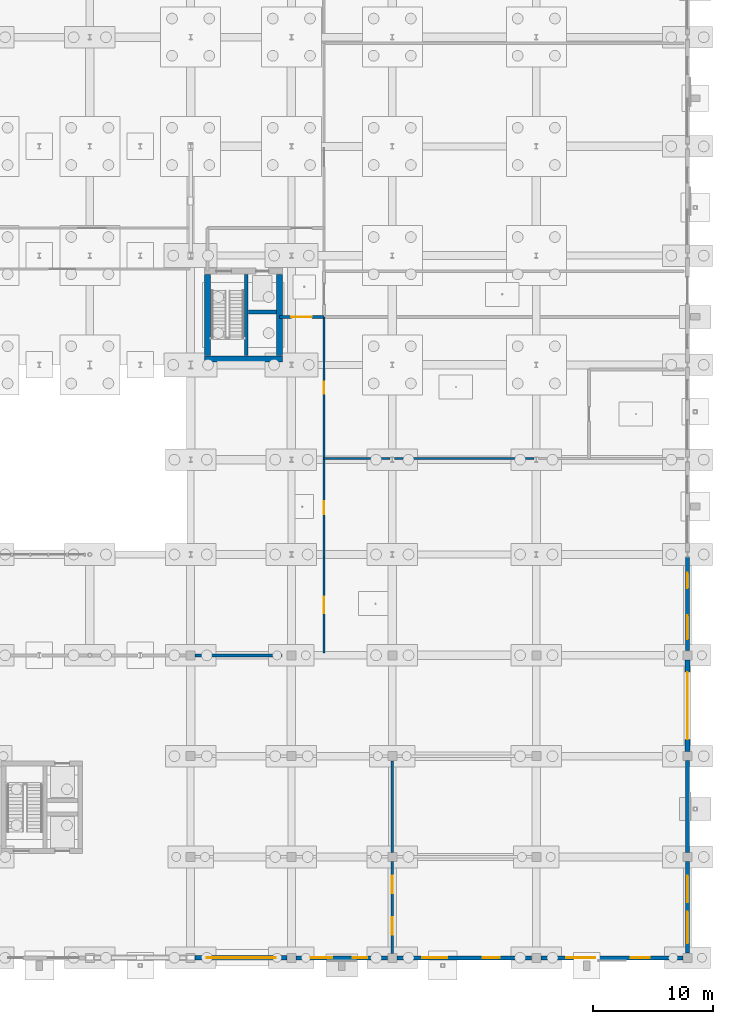
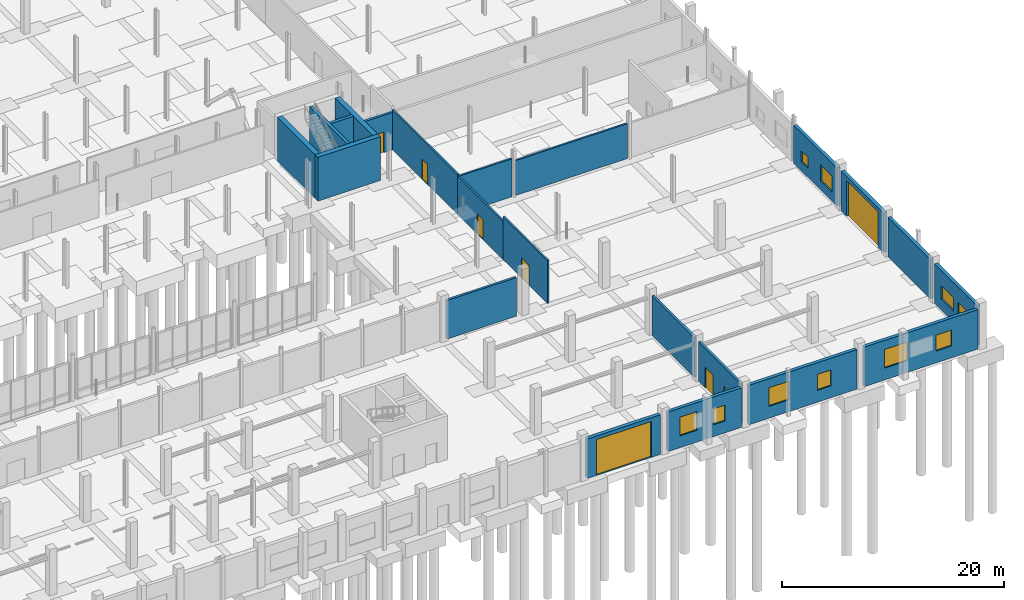
# One storey, part 87 of 119: 22 walls, 10 windows, 8 doors, 18 openings.
"""IFC4 building model written with IfcOpenShell, lengths in metres."""

import ifcopenshell
import ifcopenshell.guid

model = None  # the IFC model being written
_history = None  # IfcOwnerHistory: only IFC2X3 demands one
_inside = {}  # id of a spatial element -> (the spatial element, [elements in it])
_under = {}  # id of a project, library or spatial element -> (it, [spatial elements below it])
_declared = {}  # id of a project -> (the project, [libraries it declares])
_typed = {}  # id of a type object -> (the type object, [elements of that type])
_made_of = {}  # id of a material, layer set ... -> (it, [elements and type objects made of it])


def new_model(schema):
    """Start an empty IFC model of exactly this schema.

    Asked for "IFC4X3", IfcOpenShell would pick the latest addendum, in which some entities
    have other attributes; the version numbers below select the first issue.
    IFC2X3 requires an IfcOwnerHistory on every rooted entity: one is made here for all.
    """
    global model, _history
    if schema == "IFC4X3":
        model = ifcopenshell.file(schema_version=(4, 3, 0, 0))
    else:
        model = ifcopenshell.file(schema=schema)
    _inside.clear()
    _under.clear()
    _declared.clear()
    _typed.clear()
    _made_of.clear()
    _history = None
    if model.schema == "IFC2X3":
        org = make("IfcOrganization", Name="unknown")
        user = make(
            "IfcPersonAndOrganization",
            ThePerson=make("IfcPerson", FamilyName="unknown"),
            TheOrganization=org,
        )
        app = make(
            "IfcApplication",
            ApplicationDeveloper=org,
            Version="unknown",
            ApplicationFullName="unknown",
            ApplicationIdentifier="unknown",
        )
        _history = make(
            "IfcOwnerHistory",
            OwningUser=user,
            OwningApplication=app,
            ChangeAction="ADDED",
            CreationDate=0,
        )
    return model


def make(cls, **values):
    """One entity of the class cls with the attributes given. An attribute that is None is left unset."""
    return model.create_entity(
        cls, **{name: value for name, value in values.items() if value is not None}
    )


def rooted(cls, **values):
    """An entity with a GlobalId (a new one), such as an element, a storey or a relation."""
    return make(cls, GlobalId=ifcopenshell.guid.new(), OwnerHistory=_history, **values)


def si_unit(unit_type, name, prefix=None):
    """IfcSIUnit, for example si_unit("LENGTHUNIT", "METRE", prefix="MILLI")."""
    return make("IfcSIUnit", UnitType=unit_type, Prefix=prefix, Name=name)


def derived_unit(unit_type, elements):
    """IfcDerivedUnit: a product of units, each with its exponent."""
    return make(
        "IfcDerivedUnit",
        Elements=[
            make("IfcDerivedUnitElement", Unit=unit, Exponent=power)
            for unit, power in elements
        ],
        UnitType=unit_type,
    )


def assignment(units):
    """IfcUnitAssignment: the units of a project."""
    return None if units is None else make("IfcUnitAssignment", Units=units)


def point(xyz):
    """IfcCartesianPoint."""
    return None if xyz is None else make("IfcCartesianPoint", Coordinates=xyz)


def direction(xyz):
    """IfcDirection."""
    return None if xyz is None else make("IfcDirection", DirectionRatios=xyz)


def frame(location, z_axis=None, x_axis=None):
    """IfcAxis2Placement3D, a coordinate frame: its origin and axes. An axis left out is left unset."""
    return make(
        "IfcAxis2Placement3D",
        Location=point(location),
        Axis=direction(z_axis),
        RefDirection=direction(x_axis),
    )


def frame_2d(location, x_axis=None):
    """IfcAxis2Placement2D, a coordinate frame in the plane: its origin and x axis."""
    return make(
        "IfcAxis2Placement2D", Location=point(location), RefDirection=direction(x_axis)
    )


def origin():
    """The frame at (0, 0, 0) with its axes left unset."""
    return frame((0.0, 0.0, 0.0))


def place(relative_to, where):
    """IfcLocalPlacement: puts the frame where relative to a parent placement (None: the world)."""
    return make(
        "IfcLocalPlacement", PlacementRelTo=relative_to, RelativePlacement=where
    )


def context(
    kind, dimensions, precision=None, world=None, true_north=None, identifier=None
):
    """IfcGeometricRepresentationContext, for example the 3D "Model" context."""
    return make(
        "IfcGeometricRepresentationContext",
        ContextIdentifier=identifier,
        ContextType=kind,
        CoordinateSpaceDimension=dimensions,
        Precision=precision,
        WorldCoordinateSystem=world,
        TrueNorth=true_north,
    )


def subcontext(parent, identifier, kind, view, scale=None):
    """IfcGeometricRepresentationSubContext, for example "Body" below "Model"."""
    return make(
        "IfcGeometricRepresentationSubContext",
        ContextIdentifier=identifier,
        ContextType=kind,
        ParentContext=parent,
        TargetScale=scale,
        TargetView=view,
    )


def project(units=None, contexts=None):
    """IfcProject with its units and contexts."""
    return rooted(
        "IfcProject",
        Name="project",
        RepresentationContexts=contexts,
        UnitsInContext=assignment(units),
    )


def spatial(cls, under=None, at=None, **own):
    """A site, building, storey or space (cls), placed at a placement, below another one or the project."""
    s = rooted(cls, ObjectPlacement=at, **own)
    if under is not None:
        _under.setdefault(under.id(), (under, []))[1].append(s)
    return s


def profile(cls, at=None, kind="AREA", **sizes):
    """A parametric profile (cls). Its sizes go by their IFC names, for example OverallWidth=200.0."""
    return make(cls, ProfileType=kind, Position=at, **sizes)


def rectangle(**sizes):
    """IfcRectangleProfileDef."""
    return profile("IfcRectangleProfileDef", **sizes)


def extrude(swept, where, along, depth):
    """IfcExtrudedAreaSolid: the profile swept, set in the frame where, extruded along a direction by depth."""
    return make(
        "IfcExtrudedAreaSolid",
        SweptArea=swept,
        Position=where,
        ExtrudedDirection=direction(along),
        Depth=depth,
    )


def shape(context_of_items, identifier, shape_type, items):
    """IfcShapeRepresentation: the items that make up one representation, for example the "Body"."""
    return make(
        "IfcShapeRepresentation",
        ContextOfItems=context_of_items,
        RepresentationIdentifier=identifier,
        RepresentationType=shape_type,
        Items=items,
    )


def material(Name=None, Category=None):
    """IfcMaterial."""
    return make("IfcMaterial", Name=Name, Category=Category)


def layer(
    of_material, thickness, ventilated=None, Name=None, Category=None, Priority=None
):
    """IfcMaterialLayer: one layer of a wall or slab, of a material (None: an air gap)."""
    return make(
        "IfcMaterialLayer",
        Material=of_material,
        LayerThickness=thickness,
        IsVentilated=ventilated,
        Name=Name,
        Category=Category,
        Priority=Priority,
    )


def layer_set(layers, Name=None):
    """IfcMaterialLayerSet."""
    return make("IfcMaterialLayerSet", MaterialLayers=layers, LayerSetName=Name)


def made_of(thing, what):
    """Note that an element or type object is made of a material, layer set ...; save() writes the relation."""
    if what is not None:
        _made_of.setdefault(what.id(), (what, []))[1].append(thing)
    return thing


def type_object(cls, material=None, **own):
    """A type object (cls), such as IfcWallType, which elements share."""
    return made_of(rooted(cls, **own), material)


def element(
    cls,
    number,
    at=None,
    inside=None,
    cuts=None,
    type_object=None,
    material=None,
    context=None,
    identifier="Body",
    shape_type=None,
    held_by="IfcProductDefinitionShape",
    body=None,
    shapes=None,
    **own,
):
    """One element of the class cls, such as IfcWall. Its Tag is "e" and its number.

    at: its placement. inside: the storey or other place that contains it. cuts: it is an
    opening in that element (IfcRelVoidsElement). A single representation is given by context,
    identifier, shape_type and body (its items); several are given by shapes. held_by: the class
    of the entity that holds the representations. save() writes the other relations.
    """
    e = rooted(cls, Tag="e%d" % number, ObjectPlacement=at, **own)
    if body is not None:
        shapes = [shape(context, identifier, shape_type, body)]
    if shapes is not None:
        e.Representation = make(held_by, Representations=shapes)
    if inside is not None:
        _inside.setdefault(inside.id(), (inside, []))[1].append(e)
    if cuts is not None:
        rooted(
            "IfcRelVoidsElement", RelatingBuildingElement=cuts, RelatedOpeningElement=e
        )
    if type_object is not None:
        _typed.setdefault(type_object.id(), (type_object, []))[1].append(e)
    return made_of(e, material)


def fill(opening, filler):
    """IfcRelFillsElement: the door or window that sits in an opening."""
    return rooted(
        "IfcRelFillsElement",
        RelatingOpeningElement=opening,
        RelatedBuildingElement=filler,
    )


def aggregate(whole, parts):
    """IfcRelAggregates: a whole, such as a stair, and the parts it consists of."""
    return rooted("IfcRelAggregates", RelatingObject=whole, RelatedObjects=parts)


def save(model, path):
    """Write the relations noted so far, then the file.

    IfcRelAggregates (storeys below a building ...), IfcRelContainedInSpatialStructure (elements
    in a storey), IfcRelDefinesByType, IfcRelAssociatesMaterial and IfcRelDeclares: one each for
    every whole, place, type object, material and project.
    """
    for whole, parts in _under.values():
        aggregate(whole, parts)
    for where, things in _inside.values():
        rooted(
            "IfcRelContainedInSpatialStructure",
            RelatedElements=things,
            RelatingStructure=where,
        )
    for kind, things in _typed.values():
        rooted("IfcRelDefinesByType", RelatedObjects=things, RelatingType=kind)
    for what, things in _made_of.values():
        rooted("IfcRelAssociatesMaterial", RelatedObjects=things, RelatingMaterial=what)
    for by, libraries in _declared.values():
        rooted("IfcRelDeclares", RelatingContext=by, RelatedDefinitions=libraries)
    model.write(path)


model = new_model("IFC4")

# Units and contexts
model_context = context("Model", 3, precision=1e-05, world=origin(), true_north=direction((0.0, 1.0)))
body_context = subcontext(model_context, "Body", "Model", "MODEL_VIEW")
ifc_project = project(units=[si_unit("LENGTHUNIT", "METRE"), si_unit("AREAUNIT", "SQUARE_METRE"), si_unit("VOLUMEUNIT", "CUBIC_METRE"), si_unit("PLANEANGLEUNIT", "RADIAN"), si_unit("MASSUNIT", "GRAM", prefix="KILO"), derived_unit("THERMALTRANSMITTANCEUNIT", [(si_unit("MASSUNIT", "GRAM", prefix="KILO"), 1), (si_unit("TIMEUNIT", "SECOND"), -3), (si_unit("THERMODYNAMICTEMPERATUREUNIT", "KELVIN"), -1)])], contexts=[model_context])

# Site, building, storey
site_placement = place(None, origin())
site = spatial("IfcSite", under=ifc_project, at=site_placement, CompositionType="ELEMENT")
building_placement = place(site_placement, origin())
building = spatial("IfcBuilding", under=site, at=building_placement, Name="Makaiwela Harbour Ferry Terminal", CompositionType="ELEMENT")
storey_placement = place(building_placement, origin())
storey = spatial("IfcBuildingStorey", under=building, at=storey_placement, Name="L00", CompositionType="ELEMENT", Elevation=0.0)

# Wall, openings, windows
ifc_material_1 = material(Name="Precast concrete f'c 40 MPa (6000 psi) with Hawaiian basalt rainscreen", Category="masonry")
ifc_layer_1 = layer(ifc_material_1, 0.340087890625)
ifc_layer_set_1 = layer_set([ifc_layer_1], Name="Precast concrete f'c 40 MPa (6000 psi) with Hawaiian basalt rainscreen")
wall_type_1 = type_object("IfcWallType", Name="ENV-WL-EXT340", PredefinedType="SOLIDWALL", material=ifc_layer_set_1)
wall_1_placement = place(storey_placement, frame((155.01708984375, 0.0, 0.0), z_axis=(0.0, 0.0, 1.0), x_axis=(-1.0, 0.0, 0.0)))
wall_1 = element("IfcWall", 1, at=wall_1_placement, inside=storey, type_object=wall_type_1, Name="Exterior Wall EW-037", PredefinedType="SOLIDWALL", context=body_context, shape_type="SweptSolid", body=[
    extrude(rectangle(XDim=7.634033203125, YDim=0.340087890625, at=frame_2d((3.81689453125, 0.0))), origin(), (0.0, 0.0, 1.0), 4.345947265625),
])
opening_1_placement = place(wall_1_placement, frame((1.690185546875, 0.0, 1.300048828125)))
opening_1 = element("IfcOpeningElement", 2, at=opening_1_placement, cuts=wall_1, Name="Opening W-19", PredefinedType="OPENING", context=body_context, shape_type="SweptSolid", body=[
    extrude(rectangle(XDim=1.199951171875, YDim=1.75, at=frame_2d((0.60009765625, 0.875))), frame((0.0, 0.179931640625, 0.0), z_axis=(0.0, -1.0, 0.0), x_axis=(1.0, 0.0, 0.0)), (0.0, 0.0, 1.0), 0.360107421875),
])
opening_2_placement = place(wall_1_placement, frame((4.596435546875, 0.0, 1.300048828125)))
opening_2 = element("IfcOpeningElement", 3, at=opening_2_placement, cuts=wall_1, Name="Opening W-32", PredefinedType="OPENING", context=body_context, shape_type="SweptSolid", body=[
    extrude(rectangle(XDim=1.800048828125, YDim=2.050048828125, at=frame_2d((0.89990234375, 1.02490234375))), frame((0.0, 0.179931640625, 0.0), z_axis=(0.0, -1.0, 0.0), x_axis=(1.0, 0.0, 0.0)), (0.0, 0.0, 1.0), 0.360107421875),
])
ifc_material_2 = material(Name="Laminated hurricane-impact low-E insulated glazing", Category="glass")
window_type_1 = type_object("IfcWindowType", Name="ENV-WIN-19", PartitioningType="SINGLE_PANEL", PredefinedType="WINDOW", material=ifc_material_2)
window_1_placement = place(opening_1_placement, origin())
window_1 = element("IfcWindow", 4, at=window_1_placement, inside=storey, type_object=window_type_1, Name="Exterior Window W-19", OverallHeight=1.75, OverallWidth=1.199951171875, PartitioningType="SINGLE_PANEL", PredefinedType="WINDOW", context=body_context, shape_type="SweptSolid", body=[
    extrude(rectangle(XDim=1.199951171875, YDim=1.75, at=frame_2d((0.60009765625, 0.875))), frame((0.0, 0.030029296875, 0.0), z_axis=(0.0, -1.0, 0.0), x_axis=(1.0, 0.0, 0.0)), (0.0, 0.0, 1.0), 0.06005859375),
])
fill(opening_1, window_1)
window_type_2 = type_object("IfcWindowType", Name="ENV-WIN-32", PartitioningType="SINGLE_PANEL", PredefinedType="WINDOW", material=ifc_material_2)
window_2_placement = place(opening_2_placement, origin())
window_2 = element("IfcWindow", 5, at=window_2_placement, inside=storey, type_object=window_type_2, Name="Exterior Window W-32", OverallHeight=2.050048828125, OverallWidth=1.800048828125, PartitioningType="SINGLE_PANEL", PredefinedType="WINDOW", context=body_context, shape_type="SweptSolid", body=[
    extrude(rectangle(XDim=1.800048828125, YDim=2.050048828125, at=frame_2d((0.89990234375, 1.02490234375))), frame((0.0, 0.030029296875, 0.0), z_axis=(0.0, -1.0, 0.0), x_axis=(1.0, 0.0, 0.0)), (0.0, 0.0, 1.0), 0.06005859375),
])
fill(opening_2, window_2)

wall_2_placement = place(storey_placement, frame((167.01708984375, 0.0, 0.0), z_axis=(0.0, 0.0, 1.0), x_axis=(-1.0, 0.0, 0.0)))
wall_2 = element("IfcWall", 6, at=wall_2_placement, inside=storey, type_object=wall_type_1, Name="Exterior Wall EW-038", PredefinedType="SOLIDWALL", context=body_context, shape_type="SweptSolid", body=[
    extrude(rectangle(XDim=11.234130859375, YDim=0.340087890625, at=frame_2d((5.6171875, 0.0))), origin(), (0.0, 0.0, 1.0), 4.345947265625),
])
opening_3_placement = place(wall_2_placement, frame((2.670166015625, 0.0, 1.300048828125)))
opening_3 = element("IfcOpeningElement", 7, at=opening_3_placement, cuts=wall_2, Name="Opening W-20", PredefinedType="OPENING", context=body_context, shape_type="SweptSolid", body=[
    extrude(rectangle(XDim=1.39990234375, YDim=1.75, at=frame_2d((0.699951171875, 0.875))), frame((0.0, 0.179931640625, 0.0), z_axis=(0.0, -1.0, 0.0), x_axis=(1.0, 0.0, 0.0)), (0.0, 0.0, 1.0), 0.360107421875),
])
opening_4_placement = place(wall_2_placement, frame((7.03857421875, 0.0, 1.300048828125)))
opening_4 = element("IfcOpeningElement", 8, at=opening_4_placement, cuts=wall_2, Name="Opening W-33", PredefinedType="OPENING", context=body_context, shape_type="SweptSolid", body=[
    extrude(rectangle(XDim=2.10009765625, YDim=2.050048828125, at=frame_2d((1.050048828125, 1.02490234375))), frame((0.0, 0.179931640625, 0.0), z_axis=(0.0, -1.0, 0.0), x_axis=(1.0, 0.0, 0.0)), (0.0, 0.0, 1.0), 0.360107421875),
])
window_type_3 = type_object("IfcWindowType", Name="ENV-WIN-20", PartitioningType="SINGLE_PANEL", PredefinedType="WINDOW", material=ifc_material_2)
window_3_placement = place(opening_3_placement, origin())
window_3 = element("IfcWindow", 9, at=window_3_placement, inside=storey, type_object=window_type_3, Name="Exterior Window W-20", OverallHeight=1.75, OverallWidth=1.39990234375, PartitioningType="SINGLE_PANEL", PredefinedType="WINDOW", context=body_context, shape_type="SweptSolid", body=[
    extrude(rectangle(XDim=1.39990234375, YDim=1.75, at=frame_2d((0.699951171875, 0.875))), frame((0.0, 0.030029296875, 0.0), z_axis=(0.0, -1.0, 0.0), x_axis=(1.0, 0.0, 0.0)), (0.0, 0.0, 1.0), 0.06005859375),
])
fill(opening_3, window_3)
window_type_4 = type_object("IfcWindowType", Name="ENV-WIN-33", PartitioningType="SINGLE_PANEL", PredefinedType="WINDOW", material=ifc_material_2)
window_4_placement = place(opening_4_placement, origin())
window_4 = element("IfcWindow", 10, at=window_4_placement, inside=storey, type_object=window_type_4, Name="Exterior Window W-33", OverallHeight=2.050048828125, OverallWidth=2.10009765625, PartitioningType="SINGLE_PANEL", PredefinedType="WINDOW", context=body_context, shape_type="SweptSolid", body=[
    extrude(rectangle(XDim=2.10009765625, YDim=2.050048828125, at=frame_2d((1.050048828125, 1.02490234375))), frame((0.0, 0.030029296875, 0.0), z_axis=(0.0, -1.0, 0.0), x_axis=(1.0, 0.0, 0.0)), (0.0, 0.0, 1.0), 0.06005859375),
])
fill(opening_4, window_4)

wall_3_placement = place(storey_placement, frame((179.616943359375, 0.0, 0.0), z_axis=(0.0, 0.0, 1.0), x_axis=(-1.0, 0.0, 0.0)))
wall_3 = element("IfcWall", 11, at=wall_3_placement, inside=storey, type_object=wall_type_1, Name="Exterior Wall EW-039", PredefinedType="SOLIDWALL", context=body_context, shape_type="SweptSolid", body=[
    extrude(rectangle(XDim=11.833984375, YDim=0.340087890625, at=frame_2d((5.9169921875, 0.0))), origin(), (0.0, 0.0, 1.0), 4.345947265625),
])
opening_5_placement = place(wall_3_placement, frame((2.750244140625, 0.0, 1.300048828125)))
opening_5 = element("IfcOpeningElement", 12, at=opening_5_placement, cuts=wall_3, Name="Opening W-21", PredefinedType="OPENING", context=body_context, shape_type="SweptSolid", body=[
    extrude(rectangle(XDim=1.60009765625, YDim=1.75, at=frame_2d((0.800048828125, 0.875))), frame((0.0, 0.179931640625, 0.0), z_axis=(0.0, -1.0, 0.0), x_axis=(1.0, 0.0, 0.0)), (0.0, 0.0, 1.0), 0.360107421875),
])
opening_6_placement = place(wall_3_placement, frame((7.320556640625, 0.0, 1.300048828125)))
opening_6 = element("IfcOpeningElement", 13, at=opening_6_placement, cuts=wall_3, Name="Opening W-34", PredefinedType="OPENING", context=body_context, shape_type="SweptSolid", body=[
    extrude(rectangle(XDim=2.39990234375, YDim=2.050048828125, at=frame_2d((1.199951171875, 1.02490234375))), frame((0.0, 0.179931640625, 0.0), z_axis=(0.0, -1.0, 0.0), x_axis=(1.0, 0.0, 0.0)), (0.0, 0.0, 1.0), 0.360107421875),
])
window_type_5 = type_object("IfcWindowType", Name="ENV-WIN-21", PartitioningType="SINGLE_PANEL", PredefinedType="WINDOW", material=ifc_material_2)
window_5_placement = place(opening_5_placement, origin())
window_5 = element("IfcWindow", 14, at=window_5_placement, inside=storey, type_object=window_type_5, Name="Exterior Window W-21", OverallHeight=1.75, OverallWidth=1.60009765625, PartitioningType="SINGLE_PANEL", PredefinedType="WINDOW", context=body_context, shape_type="SweptSolid", body=[
    extrude(rectangle(XDim=1.60009765625, YDim=1.75, at=frame_2d((0.800048828125, 0.875))), frame((0.0, 0.030029296875, 0.0), z_axis=(0.0, -1.0, 0.0), x_axis=(1.0, 0.0, 0.0)), (0.0, 0.0, 1.0), 0.06005859375),
])
fill(opening_5, window_5)
window_type_6 = type_object("IfcWindowType", Name="ENV-WIN-34", PartitioningType="SINGLE_PANEL", PredefinedType="WINDOW", material=ifc_material_2)
window_6_placement = place(opening_6_placement, origin())
window_6 = element("IfcWindow", 15, at=window_6_placement, inside=storey, type_object=window_type_6, Name="Exterior Window W-34", OverallHeight=2.050048828125, OverallWidth=2.39990234375, PartitioningType="SINGLE_PANEL", PredefinedType="WINDOW", context=body_context, shape_type="SweptSolid", body=[
    extrude(rectangle(XDim=2.39990234375, YDim=2.050048828125, at=frame_2d((1.199951171875, 1.02490234375))), frame((0.0, 0.030029296875, 0.0), z_axis=(0.0, -1.0, 0.0), x_axis=(1.0, 0.0, 0.0)), (0.0, 0.0, 1.0), 0.06005859375),
])
fill(opening_6, window_6)

wall_4_placement = place(storey_placement, frame((180.0, 8.01708984375, 0.0), z_axis=(0.0, 0.0, 1.0), x_axis=(0.0, -1.0, 0.0)))
wall_4 = element("IfcWall", 16, at=wall_4_placement, inside=storey, type_object=wall_type_1, Name="Exterior Wall EW-049", PredefinedType="SOLIDWALL", context=body_context, shape_type="SweptSolid", body=[
    extrude(rectangle(XDim=7.634033203125, YDim=0.340087890625, at=frame_2d((3.81689453125, 0.0))), origin(), (0.0, 0.0, 1.0), 4.345947265625),
])
opening_7_placement = place(wall_4_placement, frame((1.190185546875, 0.0, 1.199951171875)))
opening_7 = element("IfcOpeningElement", 17, at=opening_7_placement, cuts=wall_4, Name="Opening W-14", PredefinedType="OPENING", context=body_context, shape_type="SweptSolid", body=[
    extrude(rectangle(XDim=2.199951171875, YDim=1.449951171875, at=frame_2d((1.10009765625, 0.72509765625))), frame((0.0, 0.179931640625, 0.0), z_axis=(0.0, -1.0, 0.0), x_axis=(1.0, 0.0, 0.0)), (0.0, 0.0, 1.0), 0.360107421875),
])
opening_8_placement = place(wall_4_placement, frame((4.196533203125, 0.0, 1.199951171875)))
opening_8 = element("IfcOpeningElement", 18, at=opening_8_placement, cuts=wall_4, Name="Opening W-16", PredefinedType="OPENING", context=body_context, shape_type="SweptSolid", body=[
    extrude(rectangle(XDim=2.60009765625, YDim=1.449951171875, at=frame_2d((1.300048828125, 0.72509765625))), frame((0.0, 0.179931640625, 0.0), z_axis=(0.0, -1.0, 0.0), x_axis=(1.0, 0.0, 0.0)), (0.0, 0.0, 1.0), 0.360107421875),
])
window_type_7 = type_object("IfcWindowType", Name="ENV-WIN-14", PartitioningType="SINGLE_PANEL", PredefinedType="WINDOW", material=ifc_material_2)
window_7_placement = place(opening_7_placement, origin())
window_7 = element("IfcWindow", 19, at=window_7_placement, inside=storey, type_object=window_type_7, Name="Exterior Window W-14", OverallHeight=1.449951171875, OverallWidth=2.199951171875, PartitioningType="SINGLE_PANEL", PredefinedType="WINDOW", context=body_context, shape_type="SweptSolid", body=[
    extrude(rectangle(XDim=2.199951171875, YDim=1.449951171875, at=frame_2d((1.10009765625, 0.72509765625))), frame((0.0, 0.030029296875, 0.0), z_axis=(0.0, -1.0, 0.0), x_axis=(1.0, 0.0, 0.0)), (0.0, 0.0, 1.0), 0.06005859375),
])
fill(opening_7, window_7)
window_type_8 = type_object("IfcWindowType", Name="ENV-WIN-16", PartitioningType="SINGLE_PANEL", PredefinedType="WINDOW", material=ifc_material_2)
window_8_placement = place(opening_8_placement, origin())
window_8 = element("IfcWindow", 20, at=window_8_placement, inside=storey, type_object=window_type_8, Name="Exterior Window W-16", OverallHeight=1.449951171875, OverallWidth=2.60009765625, PartitioningType="SINGLE_PANEL", PredefinedType="WINDOW", context=body_context, shape_type="SweptSolid", body=[
    extrude(rectangle(XDim=2.60009765625, YDim=1.449951171875, at=frame_2d((1.300048828125, 0.72509765625))), frame((0.0, 0.030029296875, 0.0), z_axis=(0.0, -1.0, 0.0), x_axis=(1.0, 0.0, 0.0)), (0.0, 0.0, 1.0), 0.06005859375),
])
fill(opening_8, window_8)

# Wall
wall_5_placement = place(storey_placement, frame((180.0, 16.4169921875, 0.0), z_axis=(0.0, 0.0, 1.0), x_axis=(0.0, -1.0, 0.0)))
element("IfcWall", 21, at=wall_5_placement, inside=storey, type_object=wall_type_1, Name="Exterior Wall EW-050", PredefinedType="SOLIDWALL", context=body_context, shape_type="SweptSolid", body=[
    extrude(rectangle(XDim=7.634033203125, YDim=0.340087890625, at=frame_2d((3.81689453125, 0.0))), origin(), (0.0, 0.0, 1.0), 4.345947265625),
])

# Wall, openings, windows
wall_6_placement = place(storey_placement, frame((180.0, 33.37646484375, 0.0), z_axis=(0.0, 0.0, 1.0), x_axis=(0.0, -1.0, 0.0)))
wall_6 = element("IfcWall", 22, at=wall_6_placement, inside=storey, type_object=wall_type_1, Name="Exterior Wall EW-052", PredefinedType="SOLIDWALL", context=body_context, shape_type="SweptSolid", body=[
    extrude(rectangle(XDim=7.79345703125, YDim=0.340087890625, at=frame_2d((3.896728515625, 0.0))), origin(), (0.0, 0.0, 1.0), 4.18310546875),
])
opening_9_placement = place(wall_6_placement, frame((1.29833984375, 0.0, 1.0)))
opening_9 = element("IfcOpeningElement", 23, at=opening_9_placement, cuts=wall_6, Name="Opening W-04", PredefinedType="OPENING", context=body_context, shape_type="SweptSolid", body=[
    extrude(rectangle(XDim=1.300048828125, YDim=1.199951171875, at=frame_2d((0.64990234375, 0.60009765625))), frame((0.0, 0.179931640625, 0.0), z_axis=(0.0, -1.0, 0.0), x_axis=(1.0, 0.0, 0.0)), (0.0, 0.0, 1.0), 0.360107421875),
])
opening_10_placement = place(wall_6_placement, frame((4.84521484375, 0.0, 1.0)))
opening_10 = element("IfcOpeningElement", 24, at=opening_10_placement, cuts=wall_6, Name="Opening W-23", PredefinedType="OPENING", context=body_context, shape_type="SweptSolid", body=[
    extrude(rectangle(XDim=2.0, YDim=1.75, at=frame_2d((1.0, 0.875))), frame((0.0, 0.179931640625, 0.0), z_axis=(0.0, -1.0, 0.0), x_axis=(1.0, 0.0, 0.0)), (0.0, 0.0, 1.0), 0.360107421875),
])
window_type_9 = type_object("IfcWindowType", Name="ENV-WIN-04", PartitioningType="SINGLE_PANEL", PredefinedType="WINDOW", material=ifc_material_2)
window_9_placement = place(opening_9_placement, origin())
window_9 = element("IfcWindow", 25, at=window_9_placement, inside=storey, type_object=window_type_9, Name="Exterior Window W-04", OverallHeight=1.199951171875, OverallWidth=1.300048828125, PartitioningType="SINGLE_PANEL", PredefinedType="WINDOW", context=body_context, shape_type="SweptSolid", body=[
    extrude(rectangle(XDim=1.300048828125, YDim=1.199951171875, at=frame_2d((0.64990234375, 0.60009765625))), frame((0.0, 0.030029296875, 0.0), z_axis=(0.0, -1.0, 0.0), x_axis=(1.0, 0.0, 0.0)), (0.0, 0.0, 1.0), 0.06005859375),
])
fill(opening_9, window_9)
window_type_10 = type_object("IfcWindowType", Name="ENV-WIN-23", PartitioningType="SINGLE_PANEL", PredefinedType="WINDOW", material=ifc_material_2)
window_10_placement = place(opening_10_placement, origin())
window_10 = element("IfcWindow", 26, at=window_10_placement, inside=storey, type_object=window_type_10, Name="Exterior Window W-23", OverallHeight=1.75, OverallWidth=2.0, PartitioningType="SINGLE_PANEL", PredefinedType="WINDOW", context=body_context, shape_type="SweptSolid", body=[
    extrude(rectangle(XDim=2.0, YDim=1.75, at=frame_2d((1.0, 0.875))), frame((0.0, 0.030029296875, 0.0), z_axis=(0.0, -1.0, 0.0), x_axis=(1.0, 0.0, 0.0)), (0.0, 0.0, 1.0), 0.06005859375),
])
fill(opening_10, window_10)

# Wall, opening, door
ifc_material_3 = material(Name="Precast concrete f'c 40 MPa (6000 psi)", Category="concrete")
ifc_layer_2 = layer(ifc_material_3, 0.3798828125)
ifc_layer_set_2 = layer_set([ifc_layer_2], Name="Precast concrete f'c 40 MPa (6000 psi)")
wall_type_2 = type_object("IfcWallType", Name="ENV-WL-EXT380", PredefinedType="SOLIDWALL", material=ifc_layer_set_2)
wall_7_placement = place(storey_placement, frame((146.616943359375, 0.0, 0.0), z_axis=(0.0, 0.0, 1.0), x_axis=(-1.0, 0.0, 0.0)))
wall_7 = element("IfcWall", 27, at=wall_7_placement, inside=storey, type_object=wall_type_2, Name="Exterior Wall EW-036", PredefinedType="SOLIDWALL", context=body_context, shape_type="SweptSolid", body=[
    extrude(rectangle(XDim=7.634033203125, YDim=0.3798828125, at=frame_2d((3.81689453125, 0.0))), origin(), (0.0, 0.0, 1.0), 4.345947265625),
])
opening_11_placement = place(wall_7_placement, frame((0.94189453125, 0.0, 0.0)))
opening_11 = element("IfcOpeningElement", 28, at=opening_11_placement, cuts=wall_7, Name="Opening VG-04", PredefinedType="OPENING", context=body_context, shape_type="SweptSolid", body=[
    extrude(rectangle(XDim=5.75, YDim=3.949951171875, at=frame_2d((2.875, 1.97509765625))), frame((0.0, 0.199951171875, 0.0), z_axis=(0.0, -1.0, 0.0), x_axis=(1.0, 0.0, 0.0)), (0.0, 0.0, 1.0), 0.39990234375),
])
ifc_material_4 = material(Name="Marine anodised aluminium 6063-T6", Category="aluminium")
door_type_1 = type_object("IfcDoorType", Name="ENV-GT-VEH04", OperationType="NOTDEFINED", PredefinedType="GATE", material=ifc_material_4)
door_1_placement = place(opening_11_placement, origin())
door_1 = element("IfcDoor", 29, at=door_1_placement, inside=storey, type_object=door_type_1, Name="Exterior Door VG-04", OperationType="ROLLINGUP", OverallHeight=3.949951171875, OverallWidth=5.75, PredefinedType="GATE", context=body_context, shape_type="SweptSolid", body=[
    extrude(rectangle(XDim=5.75, YDim=3.949951171875, at=frame_2d((2.875, 1.97509765625))), frame((0.0, 0.02490234375, 0.0), z_axis=(0.0, -1.0, 0.0), x_axis=(1.0, 0.0, 0.0)), (0.0, 0.0, 1.0), 0.050048828125),
])
fill(opening_11, door_1)

wall_8_placement = place(storey_placement, frame((180.0, 24.81689453125, 0.0), z_axis=(0.0, 0.0, 1.0), x_axis=(0.0, -1.0, 0.0)))
wall_8 = element("IfcWall", 30, at=wall_8_placement, inside=storey, type_object=wall_type_2, Name="Exterior Wall EW-051", PredefinedType="SOLIDWALL", context=body_context, shape_type="SweptSolid", body=[
    extrude(rectangle(XDim=7.6337890625, YDim=0.3798828125, at=frame_2d((3.81689453125, 0.0))), origin(), (0.0, 0.0, 1.0), 4.345947265625),
])
opening_12_placement = place(wall_8_placement, frame((1.01708984375, 0.0, 0.0)))
opening_12 = element("IfcOpeningElement", 31, at=opening_12_placement, cuts=wall_8, Name="Opening VG-01", PredefinedType="OPENING", context=body_context, shape_type="SweptSolid", body=[
    extrude(rectangle(XDim=5.60009765625, YDim=3.89990234375, at=frame_2d((2.800048828125, 1.949951171875))), frame((0.0, 0.199951171875, 0.0), z_axis=(0.0, -1.0, 0.0), x_axis=(1.0, 0.0, 0.0)), (0.0, 0.0, 1.0), 0.39990234375),
])
door_type_2 = type_object("IfcDoorType", Name="ENV-GT-VEH01", OperationType="NOTDEFINED", PredefinedType="GATE", material=ifc_material_4)
door_2_placement = place(opening_12_placement, origin())
door_2 = element("IfcDoor", 32, at=door_2_placement, inside=storey, type_object=door_type_2, Name="Exterior Door VG-01", OperationType="ROLLINGUP", OverallHeight=3.89990234375, OverallWidth=5.60009765625, PredefinedType="GATE", context=body_context, shape_type="SweptSolid", body=[
    extrude(rectangle(XDim=5.60009765625, YDim=3.89990234375, at=frame_2d((2.800048828125, 1.949951171875))), frame((0.0, 0.02490234375, 0.0), z_axis=(0.0, -1.0, 0.0), x_axis=(1.0, 0.0, 0.0)), (0.0, 0.0, 1.0), 0.050048828125),
])
fill(opening_12, door_2)

ifc_material_5 = material(Name="Fire-rated gypsum board on steel studs", Category="steel")
ifc_layer_3 = layer(ifc_material_5, 0.179931640625)
ifc_layer_set_3 = layer_set([ifc_layer_3], Name="Fire-rated gypsum board on steel studs")
wall_type_3 = type_object("IfcWallType", Name="INT-WL-FIR180", PredefinedType="PARTITIONING", material=ifc_layer_set_3)
wall_9_placement = place(storey_placement, frame((149.699951171875, 25.39990234375, 0.0), z_axis=(0.0, 0.0, 1.0), x_axis=(0.0, 1.0, 0.0)))
wall_9 = element("IfcWall", 33, at=wall_9_placement, inside=storey, type_object=wall_type_3, Name="Interior Wall IW-0481", PredefinedType="PARTITIONING", context=body_context, shape_type="SweptSolid", body=[
    extrude(rectangle(XDim=8.0, YDim=0.179931640625, at=frame_2d((4.0, 0.0))), origin(), (0.0, 0.0, 1.0), 4.719970703125),
])
opening_13_placement = place(wall_9_placement, frame((3.324951171875, 0.0, 0.0)))
opening_13 = element("IfcOpeningElement", 34, at=opening_13_placement, cuts=wall_9, Name="Opening D-15", PredefinedType="OPENING", context=body_context, shape_type="SweptSolid", body=[
    extrude(rectangle(XDim=1.35009765625, YDim=2.199951171875, at=frame_2d((0.675048828125, 1.10009765625))), frame((0.0, 0.099853515625, 0.0), z_axis=(0.0, -1.0, 0.0), x_axis=(1.0, 0.0, 0.0)), (0.0, 0.0, 1.0), 0.199951171875),
])
ifc_material_6 = material(Name="Insulated galvanised fire-rated steel leaf and frame", Category="steel")
door_type_3 = type_object("IfcDoorType", Name="INT-DR-STR135", OperationType="NOTDEFINED", PredefinedType="DOOR", material=ifc_material_6)
door_3_placement = place(opening_13_placement, frame((1.35009765625, 0.0, 0.0), z_axis=(0.0, 0.0, 1.0), x_axis=(-1.0, 0.0, 0.0)))
door_3 = element("IfcDoor", 35, at=door_3_placement, inside=storey, type_object=door_type_3, Name="Door D-15", OperationType="SINGLE_SWING_LEFT", OverallHeight=2.199951171875, OverallWidth=1.35009765625, PredefinedType="DOOR", context=body_context, shape_type="SweptSolid", body=[
    extrude(rectangle(XDim=1.35009765625, YDim=2.199951171875, at=frame_2d((0.675048828125, 1.10009765625))), frame((0.0, 0.02490234375, 0.0), z_axis=(0.0, -1.0, 0.0), x_axis=(1.0, 0.0, 0.0)), (0.0, 0.0, 1.0), 0.050048828125),
])
fill(opening_13, door_3)

wall_10_placement = place(storey_placement, frame((149.699951171875, 33.39990234375, 0.0), z_axis=(0.0, 0.0, 1.0), x_axis=(0.0, 1.0, 0.0)))
wall_10 = element("IfcWall", 36, at=wall_10_placement, inside=storey, type_object=wall_type_3, Name="Interior Wall IW-0482", PredefinedType="PARTITIONING", context=body_context, shape_type="SweptSolid", body=[
    extrude(rectangle(XDim=8.2001953125, YDim=0.179931640625, at=frame_2d((4.10009765625, 0.0))), origin(), (0.0, 0.0, 1.0), 4.18310546875),
])
opening_14_placement = place(wall_10_placement, frame((3.56005859375, 0.0, 0.0)))
opening_14 = element("IfcOpeningElement", 37, at=opening_14_placement, cuts=wall_10, Name="Opening D-14", PredefinedType="OPENING", context=body_context, shape_type="SweptSolid", body=[
    extrude(rectangle(XDim=1.080078125, YDim=2.199951171875, at=frame_2d((0.5400390625, 1.10009765625))), frame((0.0, 0.099853515625, 0.0), z_axis=(0.0, -1.0, 0.0), x_axis=(1.0, 0.0, 0.0)), (0.0, 0.0, 1.0), 0.199951171875),
])
ifc_material_7 = material(Name="Solid-core marine hardwood and painted steel frame", Category="steel")
door_type_4 = type_object("IfcDoorType", Name="INT-DR-OFF108", OperationType="NOTDEFINED", PredefinedType="DOOR", material=ifc_material_7)
door_4_placement = place(opening_14_placement, frame((1.080078125, 0.0, 0.0), z_axis=(0.0, 0.0, 1.0), x_axis=(-1.0, 0.0, 0.0)))
door_4 = element("IfcDoor", 38, at=door_4_placement, inside=storey, type_object=door_type_4, Name="Door D-14", OperationType="SINGLE_SWING_RIGHT", OverallHeight=2.199951171875, OverallWidth=1.080078125, PredefinedType="DOOR", context=body_context, shape_type="SweptSolid", body=[
    extrude(rectangle(XDim=1.080078125, YDim=2.199951171875, at=frame_2d((0.5400390625, 1.10009765625))), frame((0.0, 0.02490234375, 0.0), z_axis=(0.0, -1.0, 0.0), x_axis=(1.0, 0.0, 0.0)), (0.0, 0.0, 1.0), 0.050048828125),
])
fill(opening_14, door_4)

wall_11_placement = place(storey_placement, frame((149.699951171875, 41.60009765625, 0.0), z_axis=(0.0, 0.0, 1.0), x_axis=(0.0, 1.0, 0.0)))
wall_11 = element("IfcWall", 39, at=wall_11_placement, inside=storey, type_object=wall_type_3, Name="Interior Wall IW-0483", PredefinedType="PARTITIONING", context=body_context, shape_type="SweptSolid", body=[
    extrude(rectangle(XDim=11.7998046875, YDim=0.179931640625, at=frame_2d((5.89990234375, 0.0))), origin(), (0.0, 0.0, 1.0), 4.364013671875),
])
opening_15_placement = place(wall_11_placement, frame((5.389892578125, 0.0, 0.0)))
opening_15 = element("IfcOpeningElement", 40, at=opening_15_placement, cuts=wall_11, Name="Opening D-13", PredefinedType="OPENING", context=body_context, shape_type="SweptSolid", body=[
    extrude(rectangle(XDim=1.02001953125, YDim=2.199951171875, at=frame_2d((0.510009765625, 1.10009765625))), frame((0.0, 0.099853515625, 0.0), z_axis=(0.0, -1.0, 0.0), x_axis=(1.0, 0.0, 0.0)), (0.0, 0.0, 1.0), 0.199951171875),
])
door_type_5 = type_object("IfcDoorType", Name="INT-DR-OFF102", OperationType="NOTDEFINED", PredefinedType="DOOR", material=ifc_material_7)
door_5_placement = place(opening_15_placement, frame((1.02001953125, 0.0, 0.0), z_axis=(0.0, 0.0, 1.0), x_axis=(-1.0, 0.0, 0.0)))
door_5 = element("IfcDoor", 41, at=door_5_placement, inside=storey, type_object=door_type_5, Name="Door D-13", OperationType="SINGLE_SWING_LEFT", OverallHeight=2.199951171875, OverallWidth=1.02001953125, PredefinedType="DOOR", context=body_context, shape_type="SweptSolid", body=[
    extrude(rectangle(XDim=1.02001953125, YDim=2.199951171875, at=frame_2d((0.510009765625, 1.10009765625))), frame((0.0, 0.02490234375, 0.0), z_axis=(0.0, -1.0, 0.0), x_axis=(1.0, 0.0, 0.0)), (0.0, 0.0, 1.0), 0.050048828125),
])
fill(opening_15, door_5)

# Walls
wall_12_placement = place(storey_placement, frame((149.699951171875, 41.60009765625, 0.0), z_axis=(0.0, 0.0, 1.0), x_axis=(1.0, 0.0, 0.0)))
element("IfcWall", 42, at=wall_12_placement, inside=storey, type_object=wall_type_3, Name="Interior Wall IW-0487", PredefinedType="PARTITIONING", context=body_context, shape_type="SweptSolid", body=[
    extrude(rectangle(XDim=5.520751953125, YDim=0.179931640625, at=frame_2d((2.76025390625, 0.0))), origin(), (0.0, 0.0, 1.0), 4.18310546875),
])
wall_13_placement = place(storey_placement, frame((155.579345703125, 41.60009765625, 0.0), z_axis=(0.0, 0.0, 1.0), x_axis=(1.0, 0.0, 0.0)))
element("IfcWall", 43, at=wall_13_placement, inside=storey, type_object=wall_type_3, Name="Interior Wall IW-0488", PredefinedType="PARTITIONING", context=body_context, shape_type="SweptSolid", body=[
    extrude(rectangle(XDim=11.641357421875, YDim=0.179931640625, at=frame_2d((5.82080078125, 0.0))), origin(), (0.0, 0.0, 1.0), 3.844970703125),
])

# Wall, openings, doors
ifc_layer_4 = layer(ifc_material_5, 0.239990234375)
ifc_layer_set_4 = layer_set([ifc_layer_4], Name="Fire-rated gypsum board on steel studs")
wall_type_4 = type_object("IfcWallType", Name="INT-WL-FIR240", PredefinedType="SOLIDWALL", material=ifc_layer_set_4)
wall_14_placement = place(storey_placement, frame((155.39990234375, 0.364990234375, 0.0), z_axis=(0.0, 0.0, 1.0), x_axis=(0.0, 1.0, 0.0)))
wall_14 = element("IfcWall", 44, at=wall_14_placement, inside=storey, type_object=wall_type_4, Name="Interior Wall IW-0434", PredefinedType="SOLIDWALL", context=body_context, shape_type="SweptSolid", body=[
    extrude(rectangle(XDim=7.669921875, YDim=0.239990234375, at=frame_2d((3.8349609375, 0.0))), origin(), (0.0, 0.0, 1.0), 4.345947265625),
])
opening_16_placement = place(wall_14_placement, frame((1.575927734375, 0.0, 0.0)))
opening_16 = element("IfcOpeningElement", 45, at=opening_16_placement, cuts=wall_14, Name="Opening D-16", PredefinedType="OPENING", context=body_context, shape_type="SweptSolid", body=[
    extrude(rectangle(XDim=1.449951171875, YDim=2.25, at=frame_2d((0.72509765625, 1.125))), frame((0.0, 0.1298828125, 0.0), z_axis=(0.0, -1.0, 0.0), x_axis=(1.0, 0.0, 0.0)), (0.0, 0.0, 1.0), 0.260009765625),
])
opening_17_placement = place(wall_14_placement, frame((5.027587890625, 0.0, 0.0)))
opening_17 = element("IfcOpeningElement", 46, at=opening_17_placement, cuts=wall_14, Name="Opening D-16", PredefinedType="OPENING", context=body_context, shape_type="SweptSolid", body=[
    extrude(rectangle(XDim=1.449951171875, YDim=2.25, at=frame_2d((0.72509765625, 1.125))), frame((0.0, 0.1298828125, 0.0), z_axis=(0.0, -1.0, 0.0), x_axis=(1.0, 0.0, 0.0)), (0.0, 0.0, 1.0), 0.260009765625),
])
door_type_6 = type_object("IfcDoorType", Name="INT-DR-STR145", OperationType="NOTDEFINED", PredefinedType="DOOR", material=ifc_material_6)
door_6_placement = place(opening_16_placement, frame((1.449951171875, 0.0, 0.0), z_axis=(0.0, 0.0, 1.0), x_axis=(-1.0, 0.0, 0.0)))
door_6 = element("IfcDoor", 47, at=door_6_placement, inside=storey, type_object=door_type_6, Name="Door D-16", OperationType="SINGLE_SWING_RIGHT", OverallHeight=2.25, OverallWidth=1.449951171875, PredefinedType="DOOR", context=body_context, shape_type="SweptSolid", body=[
    extrude(rectangle(XDim=1.449951171875, YDim=2.25, at=frame_2d((0.72509765625, 1.125))), frame((0.0, 0.02490234375, 0.0), z_axis=(0.0, -1.0, 0.0), x_axis=(1.0, 0.0, 0.0)), (0.0, 0.0, 1.0), 0.050048828125),
])
fill(opening_16, door_6)
door_7_placement = place(opening_17_placement, frame((1.449951171875, 0.0, 0.0), z_axis=(0.0, 0.0, 1.0), x_axis=(-1.0, 0.0, 0.0)))
door_7 = element("IfcDoor", 48, at=door_7_placement, inside=storey, type_object=door_type_6, Name="Door D-16", OperationType="SINGLE_SWING_LEFT", OverallHeight=2.25, OverallWidth=1.449951171875, PredefinedType="DOOR", context=body_context, shape_type="SweptSolid", body=[
    extrude(rectangle(XDim=1.449951171875, YDim=2.25, at=frame_2d((0.72509765625, 1.125))), frame((0.0, 0.02490234375, 0.0), z_axis=(0.0, -1.0, 0.0), x_axis=(1.0, 0.0, 0.0)), (0.0, 0.0, 1.0), 0.050048828125),
])
fill(opening_17, door_7)

# Walls
wall_15_placement = place(storey_placement, frame((155.39990234375, 8.764892578125, 0.0), z_axis=(0.0, 0.0, 1.0), x_axis=(0.0, 1.0, 0.0)))
element("IfcWall", 49, at=wall_15_placement, inside=storey, type_object=wall_type_4, Name="Interior Wall IW-0435", PredefinedType="SOLIDWALL", context=body_context, shape_type="SweptSolid", body=[
    extrude(rectangle(XDim=7.635009765625, YDim=0.239990234375, at=frame_2d((3.8173828125, 0.0))), origin(), (0.0, 0.0, 1.0), 4.345947265625),
])
wall_16_placement = place(storey_placement, frame((138.965087890625, 25.199951171875, 0.0), z_axis=(0.0, 0.0, 1.0), x_axis=(1.0, 0.0, 0.0)))
element("IfcWall", 50, at=wall_16_placement, inside=storey, type_object=wall_type_4, Name="Interior Wall IW-0465", PredefinedType="SOLIDWALL", context=body_context, shape_type="SweptSolid", body=[
    extrude(rectangle(XDim=7.23486328125, YDim=0.239990234375, at=frame_2d((3.617431640625, 0.0))), origin(), (0.0, 0.0, 1.0), 4.24609375),
])

# Wall, opening, door
wall_17_placement = place(storey_placement, frame((146.0, 53.39990234375, 0.0), z_axis=(0.0, 0.0, 1.0), x_axis=(1.0, 0.0, 0.0)))
wall_17 = element("IfcWall", 51, at=wall_17_placement, inside=storey, type_object=wall_type_4, Name="Interior Wall IW-0492", PredefinedType="SOLIDWALL", context=body_context, shape_type="SweptSolid", body=[
    extrude(rectangle(XDim=3.699951171875, YDim=0.239990234375, at=frame_2d((1.85009765625, 0.0))), origin(), (0.0, 0.0, 1.0), 4.10205078125),
])
opening_18_placement = place(wall_17_placement, frame((1.0, 0.0, 0.0)))
opening_18 = element("IfcOpeningElement", 52, at=opening_18_placement, cuts=wall_17, Name="Opening D-04", PredefinedType="OPENING", context=body_context, shape_type="SweptSolid", body=[
    extrude(rectangle(XDim=1.699951171875, YDim=2.25, at=frame_2d((0.85009765625, 1.125))), frame((0.0, 0.1298828125, 0.0), z_axis=(0.0, -1.0, 0.0), x_axis=(1.0, 0.0, 0.0)), (0.0, 0.0, 1.0), 0.260009765625),
])
door_type_7 = type_object("IfcDoorType", Name="INT-DR-COR170", OperationType="NOTDEFINED", PredefinedType="DOOR", material=ifc_material_6)
door_8_placement = place(opening_18_placement, origin())
door_8 = element("IfcDoor", 53, at=door_8_placement, inside=storey, type_object=door_type_7, Name="Door D-04", OperationType="DOUBLE_DOOR_SINGLE_SWING", OverallHeight=2.25, OverallWidth=1.699951171875, PredefinedType="DOOR", context=body_context, shape_type="SweptSolid", body=[
    extrude(rectangle(XDim=1.699951171875, YDim=2.25, at=frame_2d((0.85009765625, 1.125))), frame((0.0, 0.02490234375, 0.0), z_axis=(0.0, -1.0, 0.0), x_axis=(1.0, 0.0, 0.0)), (0.0, 0.0, 1.0), 0.050048828125),
])
fill(opening_18, door_8)

# Walls
ifc_material_8 = material(Name="Concrete f'c 45 MPa (6500 psi)", Category="concrete")
ifc_layer_5 = layer(ifc_material_8, 0.320068359375)
ifc_layer_set_5 = layer_set([ifc_layer_5], Name="Concrete f'c 45 MPa (6500 psi)")
wall_type_5 = type_object("IfcWallType", Name="INT-WL-SHR320", PredefinedType="SHEAR", material=ifc_layer_set_5)
wall_18_placement = place(storey_placement, frame((143.239990234375, 50.159912109375, 0.0), z_axis=(0.0, 0.0, 1.0), x_axis=(0.0, 1.0, 0.0)))
element("IfcWall", 54, at=wall_18_placement, inside=storey, type_object=wall_type_5, Name="Interior Wall IW-0194", PredefinedType="SHEAR", context=body_context, shape_type="SweptSolid", body=[
    extrude(rectangle(XDim=6.780029296875, YDim=0.320068359375, at=frame_2d((3.39013671875, 0.0))), origin(), (0.0, 0.0, 1.0), 4.820068359375),
])
wall_19_placement = place(storey_placement, frame((143.405029296875, 53.800048828125, 0.0), z_axis=(0.0, 0.0, 1.0), x_axis=(1.0, 0.0, 0.0)))
element("IfcWall", 55, at=wall_19_placement, inside=storey, type_object=wall_type_5, Name="Interior Wall IW-0195", PredefinedType="SHEAR", context=body_context, shape_type="SweptSolid", body=[
    extrude(rectangle(XDim=2.340087890625, YDim=0.320068359375, at=frame_2d((1.169921875, 0.0))), origin(), (0.0, 0.0, 1.0), 4.820068359375),
])
ifc_layer_6 = layer(ifc_material_8, 0.5)
ifc_layer_set_6 = layer_set([ifc_layer_6], Name="Concrete f'c 45 MPa (6500 psi)")
wall_type_6 = type_object("IfcWallType", Name="INT-WL-SHR500", PredefinedType="SHEAR", material=ifc_layer_set_6)
wall_20_placement = place(storey_placement, frame((139.75, 49.89990234375, 0.0), z_axis=(0.0, 0.0, 1.0), x_axis=(1.0, 0.0, 0.0)))
element("IfcWall", 56, at=wall_20_placement, inside=storey, type_object=wall_type_6, Name="Interior Wall IW-0190", PredefinedType="SHEAR", context=body_context, shape_type="SweptSolid", body=[
    extrude(rectangle(XDim=6.5, YDim=0.5, at=frame_2d((3.25, 0.0))), origin(), (0.0, 0.0, 1.0), 4.820068359375),
])
for number, where, z_axis, x_axis, name in (
    (57, (140.0, 50.159912109375, 0.0), (0.0, 0.0, 1.0), (0.0, 1.0, 0.0), "Interior Wall IW-0192"),
    (58, (146.0, 50.159912109375, 0.0), (0.0, 0.0, 1.0), (0.0, 1.0, 0.0), "Interior Wall IW-0193"),
):
    element("IfcWall", number, at=place(storey_placement, frame(where, z_axis=z_axis, x_axis=x_axis)), inside=storey, type_object=wall_type_6, Name=name, PredefinedType="SHEAR", context=body_context, shape_type="SweptSolid", body=[
        extrude(rectangle(XDim=6.780029296875, YDim=0.5, at=frame_2d((3.39013671875, 0.0))), origin(), (0.0, 0.0, 1.0), 4.820068359375),
    ])

save(model, "model.ifc")
